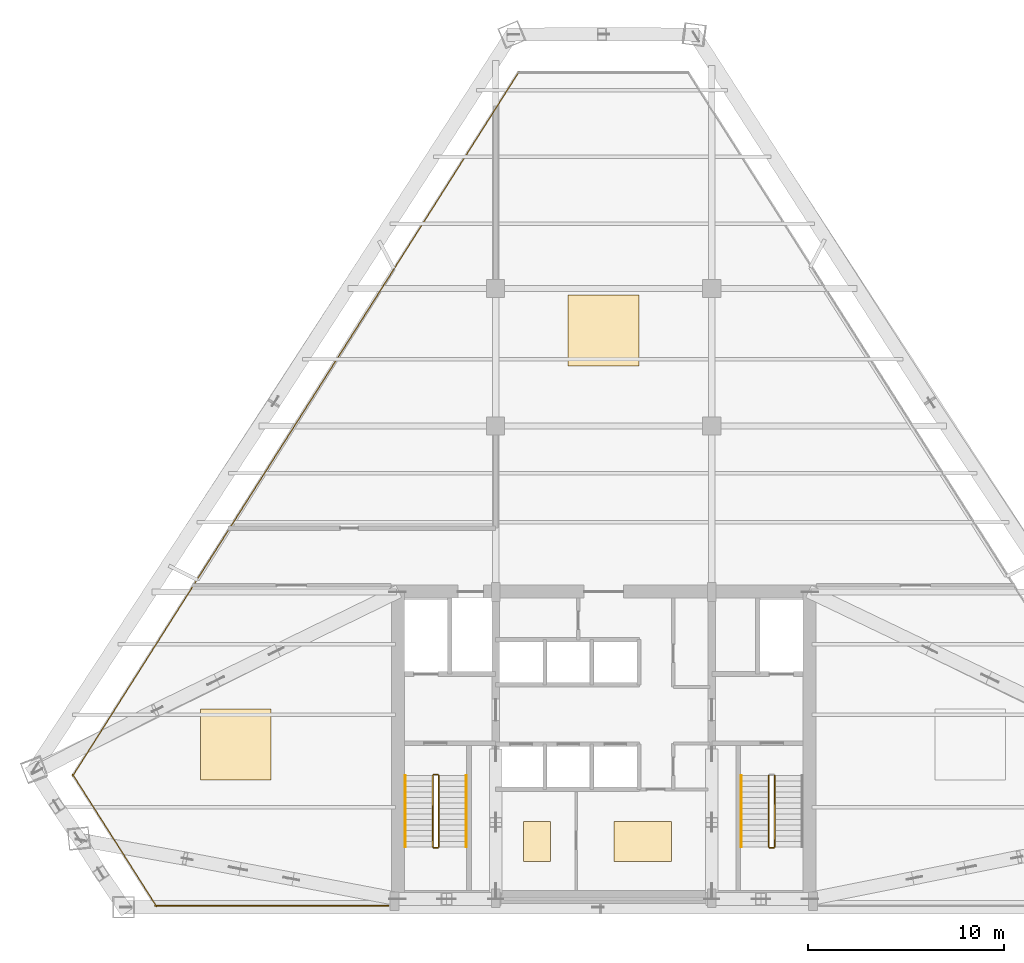
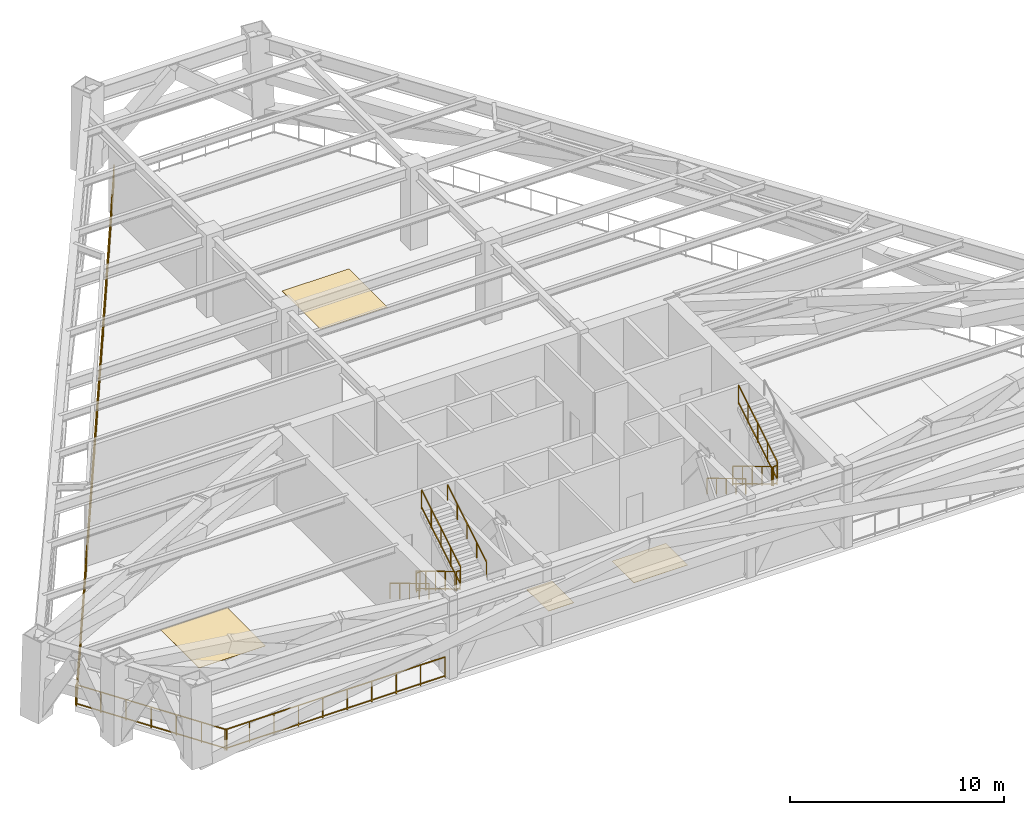
# One storey, part 8 of 9: 13 railings, 4 coverings.
"""IFC4 building model written with IfcOpenShell, lengths in metres."""

from ifc_helpers import new_model, si_unit, direction, frame, origin, origin_2d, place, context, subcontext, project, spatial, rectangle, extrude, source, transform, mapped, material, layer, layer_set, type_object, type_shapes, element, save


model = new_model("IFC4")

# Units and contexts
model_context = context("Model", 3, precision=1e-05, world=origin(), true_north=direction((0.0, 1.0)))
body_context = subcontext(model_context, "Body", "Model", "MODEL_VIEW")
ifc_project = project(units=[si_unit("LENGTHUNIT", "METRE"), si_unit("AREAUNIT", "SQUARE_METRE"), si_unit("VOLUMEUNIT", "CUBIC_METRE"), si_unit("PLANEANGLEUNIT", "RADIAN"), si_unit("MASSUNIT", "GRAM", prefix="KILO")], contexts=[model_context])

# Site, building, storey
site_placement = place(None, origin())
site = spatial("IfcSite", under=ifc_project, at=site_placement, CompositionType="ELEMENT")
building_placement = place(site_placement, origin())
building = spatial("IfcBuilding", under=site, at=building_placement, Name="Varnakhor Terracotta Tower", CompositionType="ELEMENT")
storey_placement = place(building_placement, frame((0.0, 0.0, 166.300048828125)))
storey = spatial("IfcBuildingStorey", under=building, at=storey_placement, Name="L42", CompositionType="ELEMENT", Elevation=166.300048828125)

# Railings
ifc_material_1 = material(Name="Painted Steel Stairwell Guardrail", Category="steel")
railing_type_1 = type_object("IfcRailingType", Name="RLG-STAIR-GUARD-1120", PredefinedType="GUARDRAIL", material=ifc_material_1)
railing_1_placement = place(storey_placement, frame((-8.699951171875, 6.7099609375, 0.167724609375)))
element("IfcRailing", 1, at=railing_1_placement, inside=storey, type_object=railing_type_1, Name="L42 ST-1 stair guard 1", PredefinedType="GUARDRAIL", context=body_context, shape_type="SweptSolid", body=[
    extrude(rectangle(XDim=0.048095703125, YDim=0.048095703125, at=origin_2d()), frame((0.0, 0.0, 1.09619140625), z_axis=(0.0, -0.857680679645, 0.514182702708), x_axis=(1.0, 0.0, 0.0)), (0.0, 0.0, 1.0), 4.243896484375),
    extrude(rectangle(XDim=0.048095703125, YDim=0.048095703125, at=origin_2d()), frame((0.0, 0.0, 0.10009765625), z_axis=(0.0, -0.857680679645, 0.514182702708), x_axis=(1.0, 0.0, 0.0)), (0.0, 0.0, 1.0), 4.243896484375),
    extrude(rectangle(XDim=0.0419921875, YDim=0.0419921875, at=origin_2d()), origin(), (0.0, 0.0, 1.0), 1.072021484375),
    extrude(rectangle(XDim=0.0419921875, YDim=0.0419921875, at=origin_2d()), frame((0.0, -0.909912109375, 0.54541015625)), (0.0, 0.0, 1.0), 1.072021484375),
    extrude(rectangle(XDim=0.0419921875, YDim=0.0419921875, at=origin_2d()), frame((0.0, -1.81982421875, 1.091064453125)), (0.0, 0.0, 1.0), 1.072021484375),
    extrude(rectangle(XDim=0.0419921875, YDim=0.0419921875, at=origin_2d()), frame((0.0, -2.72998046875, 1.63671875)), (0.0, 0.0, 1.0), 1.072021484375),
    extrude(rectangle(XDim=0.0419921875, YDim=0.0419921875, at=origin_2d()), frame((0.0, -3.639892578125, 2.18212890625)), (0.0, 0.0, 1.0), 1.072021484375),
])
railing_2_placement = place(storey_placement, frame((-8.64990234375, 3.02001953125, 2.349853515625)))
element("IfcRailing", 2, at=railing_2_placement, inside=storey, type_object=railing_type_1, Name="L42 ST-1 stair guard 2", PredefinedType="GUARDRAIL", context=body_context, shape_type="SweptSolid", body=[
    extrude(rectangle(XDim=0.048095703125, YDim=0.048095703125, at=origin_2d()), frame((0.0, 0.0, 1.09619140625), z_axis=(1.0, 0.0, 0.0), x_axis=(0.0, 1.0, 0.0)), (0.0, 0.0, 1.0), 0.199951171875),
    extrude(rectangle(XDim=0.048095703125, YDim=0.048095703125, at=origin_2d()), frame((0.0, 0.0, 0.10009765625), z_axis=(1.0, 0.0, 0.0), x_axis=(0.0, 1.0, 0.0)), (0.0, 0.0, 1.0), 0.199951171875),
    extrude(rectangle(XDim=0.0419921875, YDim=0.0419921875, at=origin_2d()), origin(), (0.0, 0.0, 1.0), 1.072021484375),
    extrude(rectangle(XDim=0.0419921875, YDim=0.0419921875, at=origin_2d()), frame((0.199951171875, 0.0, 0.0)), (0.0, 0.0, 1.0), 1.072021484375),
])
railing_3_placement = place(storey_placement, frame((-8.39990234375, 3.070068359375, 2.517822265625)))
element("IfcRailing", 3, at=railing_3_placement, inside=storey, type_object=railing_type_1, Name="L42 ST-1 stair guard 3", PredefinedType="GUARDRAIL", context=body_context, shape_type="SweptSolid", body=[
    extrude(rectangle(XDim=0.048095703125, YDim=0.048095703125, at=origin_2d()), frame((0.0, 0.0, 1.09619140625), z_axis=(0.0, 0.857680679645, 0.514182702708), x_axis=(-1.0, 0.0, 0.0)), (0.0, 0.0, 1.0), 4.243896484375),
    extrude(rectangle(XDim=0.048095703125, YDim=0.048095703125, at=origin_2d()), frame((0.0, 0.0, 0.10009765625), z_axis=(0.0, 0.857680679645, 0.514182702708), x_axis=(-1.0, 0.0, 0.0)), (0.0, 0.0, 1.0), 4.243896484375),
    extrude(rectangle(XDim=0.0419921875, YDim=0.0419921875, at=origin_2d()), origin(), (0.0, 0.0, 1.0), 1.072021484375),
    extrude(rectangle(XDim=0.0419921875, YDim=0.0419921875, at=origin_2d()), frame((0.0, 0.909912109375, 0.54541015625)), (0.0, 0.0, 1.0), 1.072021484375),
    extrude(rectangle(XDim=0.0419921875, YDim=0.0419921875, at=origin_2d()), frame((0.0, 1.81982421875, 1.091064453125)), (0.0, 0.0, 1.0), 1.072021484375),
    extrude(rectangle(XDim=0.0419921875, YDim=0.0419921875, at=origin_2d()), frame((0.0, 2.72998046875, 1.63671875)), (0.0, 0.0, 1.0), 1.072021484375),
    extrude(rectangle(XDim=0.0419921875, YDim=0.0419921875, at=origin_2d()), frame((0.0, 3.639892578125, 2.18212890625)), (0.0, 0.0, 1.0), 1.072021484375),
])
railing_4_placement = place(storey_placement, frame((-8.64990234375, 6.760009765625, 0.0)))
element("IfcRailing", 4, at=railing_4_placement, inside=storey, type_object=railing_type_1, Name="L42 ST-1 stair guard 4", PredefinedType="GUARDRAIL", context=body_context, shape_type="SweptSolid", body=[
    extrude(rectangle(XDim=0.048095703125, YDim=0.048095703125, at=origin_2d()), frame((0.0, 0.0, 1.09619140625), z_axis=(1.0, 0.0, 0.0), x_axis=(0.0, 1.0, 0.0)), (0.0, 0.0, 1.0), 0.199951171875),
    extrude(rectangle(XDim=0.048095703125, YDim=0.048095703125, at=origin_2d()), frame((0.0, 0.0, 0.10009765625), z_axis=(1.0, 0.0, 0.0), x_axis=(0.0, 1.0, 0.0)), (0.0, 0.0, 1.0), 0.199951171875),
    extrude(rectangle(XDim=0.0419921875, YDim=0.0419921875, at=origin_2d()), origin(), (0.0, 0.0, 1.0), 1.072021484375),
    extrude(rectangle(XDim=0.0419921875, YDim=0.0419921875, at=origin_2d()), frame((0.199951171875, 0.0, 0.0)), (0.0, 0.0, 1.0), 1.072021484375),
])
railing_5_placement = place(storey_placement, frame((8.39990234375, 6.7099609375, 0.167724609375)))
element("IfcRailing", 5, at=railing_5_placement, inside=storey, type_object=railing_type_1, Name="L42 ST-2 stair guard 1", PredefinedType="GUARDRAIL", context=body_context, shape_type="SweptSolid", body=[
    extrude(rectangle(XDim=0.048095703125, YDim=0.048095703125, at=origin_2d()), frame((0.0, 0.0, 1.09619140625), z_axis=(0.0, -0.857680679645, 0.514182702708), x_axis=(1.0, 0.0, 0.0)), (0.0, 0.0, 1.0), 4.243896484375),
    extrude(rectangle(XDim=0.048095703125, YDim=0.048095703125, at=origin_2d()), frame((0.0, 0.0, 0.10009765625), z_axis=(0.0, -0.857680679645, 0.514182702708), x_axis=(1.0, 0.0, 0.0)), (0.0, 0.0, 1.0), 4.243896484375),
    extrude(rectangle(XDim=0.0419921875, YDim=0.0419921875, at=origin_2d()), origin(), (0.0, 0.0, 1.0), 1.072021484375),
    extrude(rectangle(XDim=0.0419921875, YDim=0.0419921875, at=origin_2d()), frame((0.0, -0.909912109375, 0.54541015625)), (0.0, 0.0, 1.0), 1.072021484375),
    extrude(rectangle(XDim=0.0419921875, YDim=0.0419921875, at=origin_2d()), frame((0.0, -1.81982421875, 1.091064453125)), (0.0, 0.0, 1.0), 1.072021484375),
    extrude(rectangle(XDim=0.0419921875, YDim=0.0419921875, at=origin_2d()), frame((0.0, -2.72998046875, 1.63671875)), (0.0, 0.0, 1.0), 1.072021484375),
    extrude(rectangle(XDim=0.0419921875, YDim=0.0419921875, at=origin_2d()), frame((0.0, -3.639892578125, 2.18212890625)), (0.0, 0.0, 1.0), 1.072021484375),
])
railing_6_placement = place(storey_placement, frame((8.449951171875, 3.02001953125, 2.349853515625)))
element("IfcRailing", 6, at=railing_6_placement, inside=storey, type_object=railing_type_1, Name="L42 ST-2 stair guard 2", PredefinedType="GUARDRAIL", context=body_context, shape_type="SweptSolid", body=[
    extrude(rectangle(XDim=0.048095703125, YDim=0.048095703125, at=origin_2d()), frame((0.0, 0.0, 1.09619140625), z_axis=(1.0, 0.0, 0.0), x_axis=(0.0, 1.0, 0.0)), (0.0, 0.0, 1.0), 0.199951171875),
    extrude(rectangle(XDim=0.048095703125, YDim=0.048095703125, at=origin_2d()), frame((0.0, 0.0, 0.10009765625), z_axis=(1.0, 0.0, 0.0), x_axis=(0.0, 1.0, 0.0)), (0.0, 0.0, 1.0), 0.199951171875),
    extrude(rectangle(XDim=0.0419921875, YDim=0.0419921875, at=origin_2d()), origin(), (0.0, 0.0, 1.0), 1.072021484375),
    extrude(rectangle(XDim=0.0419921875, YDim=0.0419921875, at=origin_2d()), frame((0.199951171875, 0.0, 0.0)), (0.0, 0.0, 1.0), 1.072021484375),
])
railing_7_placement = place(storey_placement, frame((8.699951171875, 3.070068359375, 2.517822265625)))
element("IfcRailing", 7, at=railing_7_placement, inside=storey, type_object=railing_type_1, Name="L42 ST-2 stair guard 3", PredefinedType="GUARDRAIL", context=body_context, shape_type="SweptSolid", body=[
    extrude(rectangle(XDim=0.048095703125, YDim=0.048095703125, at=origin_2d()), frame((0.0, 0.0, 1.09619140625), z_axis=(0.0, 0.857680679645, 0.514182702708), x_axis=(-1.0, 0.0, 0.0)), (0.0, 0.0, 1.0), 4.243896484375),
    extrude(rectangle(XDim=0.048095703125, YDim=0.048095703125, at=origin_2d()), frame((0.0, 0.0, 0.10009765625), z_axis=(0.0, 0.857680679645, 0.514182702708), x_axis=(-1.0, 0.0, 0.0)), (0.0, 0.0, 1.0), 4.243896484375),
    extrude(rectangle(XDim=0.0419921875, YDim=0.0419921875, at=origin_2d()), origin(), (0.0, 0.0, 1.0), 1.072021484375),
    extrude(rectangle(XDim=0.0419921875, YDim=0.0419921875, at=origin_2d()), frame((0.0, 0.909912109375, 0.54541015625)), (0.0, 0.0, 1.0), 1.072021484375),
    extrude(rectangle(XDim=0.0419921875, YDim=0.0419921875, at=origin_2d()), frame((0.0, 1.81982421875, 1.091064453125)), (0.0, 0.0, 1.0), 1.072021484375),
    extrude(rectangle(XDim=0.0419921875, YDim=0.0419921875, at=origin_2d()), frame((0.0, 2.72998046875, 1.63671875)), (0.0, 0.0, 1.0), 1.072021484375),
    extrude(rectangle(XDim=0.0419921875, YDim=0.0419921875, at=origin_2d()), frame((0.0, 3.639892578125, 2.18212890625)), (0.0, 0.0, 1.0), 1.072021484375),
])
ifc_material_2 = material(Name="Brushed Stainless Steel Handrail", Category="steel")
railing_type_2 = type_object("IfcRailingType", Name="RLG-STAIR-HANDRAIL-920", PredefinedType="HANDRAIL", material=ifc_material_2)
railing_8_placement = place(storey_placement, frame((-10.10009765625, 6.7099609375, 0.167724609375)))
element("IfcRailing", 8, at=railing_8_placement, inside=storey, type_object=railing_type_2, Name="L42 ST-1 stair handrail 1", PredefinedType="HANDRAIL", context=body_context, shape_type="SweptSolid", body=[
    extrude(rectangle(XDim=0.048095703125, YDim=0.048095703125, at=origin_2d()), frame((0.0, 0.0, 0.89599609375), z_axis=(0.0, -0.857680679645, 0.514182702708), x_axis=(1.0, 0.0, 0.0)), (0.0, 0.0, 1.0), 4.243896484375),
    extrude(rectangle(XDim=0.0419921875, YDim=0.0419921875, at=origin_2d()), origin(), (0.0, 0.0, 1.0), 0.871826171875),
    extrude(rectangle(XDim=0.0419921875, YDim=0.0419921875, at=origin_2d()), frame((0.0, -0.909912109375, 0.54541015625)), (0.0, 0.0, 1.0), 0.871826171875),
    extrude(rectangle(XDim=0.0419921875, YDim=0.0419921875, at=origin_2d()), frame((0.0, -1.81982421875, 1.091064453125)), (0.0, 0.0, 1.0), 0.871826171875),
    extrude(rectangle(XDim=0.0419921875, YDim=0.0419921875, at=origin_2d()), frame((0.0, -2.72998046875, 1.63671875)), (0.0, 0.0, 1.0), 0.871826171875),
    extrude(rectangle(XDim=0.0419921875, YDim=0.0419921875, at=origin_2d()), frame((0.0, -3.639892578125, 2.18212890625)), (0.0, 0.0, 1.0), 0.871826171875),
])
railing_9_placement = place(storey_placement, frame((-7.0, 3.070068359375, 2.517822265625)))
element("IfcRailing", 9, at=railing_9_placement, inside=storey, type_object=railing_type_2, Name="L42 ST-1 stair handrail 2", PredefinedType="HANDRAIL", context=body_context, shape_type="SweptSolid", body=[
    extrude(rectangle(XDim=0.048095703125, YDim=0.048095703125, at=origin_2d()), frame((0.0, 0.0, 0.89599609375), z_axis=(0.0, 0.857680679645, 0.514182702708), x_axis=(-1.0, 0.0, 0.0)), (0.0, 0.0, 1.0), 4.243896484375),
    extrude(rectangle(XDim=0.0419921875, YDim=0.0419921875, at=origin_2d()), origin(), (0.0, 0.0, 1.0), 0.871826171875),
    extrude(rectangle(XDim=0.0419921875, YDim=0.0419921875, at=origin_2d()), frame((0.0, 0.909912109375, 0.54541015625)), (0.0, 0.0, 1.0), 0.871826171875),
    extrude(rectangle(XDim=0.0419921875, YDim=0.0419921875, at=origin_2d()), frame((0.0, 1.81982421875, 1.091064453125)), (0.0, 0.0, 1.0), 0.871826171875),
    extrude(rectangle(XDim=0.0419921875, YDim=0.0419921875, at=origin_2d()), frame((0.0, 2.72998046875, 1.63671875)), (0.0, 0.0, 1.0), 0.871826171875),
    extrude(rectangle(XDim=0.0419921875, YDim=0.0419921875, at=origin_2d()), frame((0.0, 3.639892578125, 2.18212890625)), (0.0, 0.0, 1.0), 0.871826171875),
])
railing_10_placement = place(storey_placement, frame((7.0, 6.7099609375, 0.167724609375)))
element("IfcRailing", 10, at=railing_10_placement, inside=storey, type_object=railing_type_2, Name="L42 ST-2 stair handrail 1", PredefinedType="HANDRAIL", context=body_context, shape_type="SweptSolid", body=[
    extrude(rectangle(XDim=0.048095703125, YDim=0.048095703125, at=origin_2d()), frame((0.0, 0.0, 0.89599609375), z_axis=(0.0, -0.857680679645, 0.514182702708), x_axis=(1.0, 0.0, 0.0)), (0.0, 0.0, 1.0), 4.243896484375),
    extrude(rectangle(XDim=0.0419921875, YDim=0.0419921875, at=origin_2d()), origin(), (0.0, 0.0, 1.0), 0.871826171875),
    extrude(rectangle(XDim=0.0419921875, YDim=0.0419921875, at=origin_2d()), frame((0.0, -0.909912109375, 0.54541015625)), (0.0, 0.0, 1.0), 0.871826171875),
    extrude(rectangle(XDim=0.0419921875, YDim=0.0419921875, at=origin_2d()), frame((0.0, -1.81982421875, 1.091064453125)), (0.0, 0.0, 1.0), 0.871826171875),
    extrude(rectangle(XDim=0.0419921875, YDim=0.0419921875, at=origin_2d()), frame((0.0, -2.72998046875, 1.63671875)), (0.0, 0.0, 1.0), 0.871826171875),
    extrude(rectangle(XDim=0.0419921875, YDim=0.0419921875, at=origin_2d()), frame((0.0, -3.639892578125, 2.18212890625)), (0.0, 0.0, 1.0), 0.871826171875),
])
ifc_material_3 = material(Name="Terracotta & Brushed Steel Balustrade", Category="masonry")
railing_type_3 = type_object("IfcRailingType", Name="RLG-TERRACE-GUARD-1200", PredefinedType="BALUSTRADE", material=ifc_material_3)
railing_11_placement = place(storey_placement, frame((-27.03857421875, 6.68115234375, 0.0)))
element("IfcRailing", 11, at=railing_11_placement, inside=storey, type_object=railing_type_3, Name="L42 Open Floor Perimeter Guard 1", PredefinedType="BALUSTRADE", context=body_context, shape_type="SweptSolid", body=[
    extrude(rectangle(XDim=0.048095703125, YDim=0.048095703125, at=origin_2d()), frame((0.0, 0.0, 1.17578125), z_axis=(0.535303286105, 0.844659926767, 0.0), x_axis=(-0.844659926767, 0.535303286105, 0.0)), (0.0, 0.0, 1.0), 42.447265625),
    extrude(rectangle(XDim=0.048095703125, YDim=0.048095703125, at=origin_2d()), frame((0.0, 0.0, 0.10009765625), z_axis=(0.535303286105, 0.844659926767, 0.0), x_axis=(-0.844659926767, 0.535303286105, 0.0)), (0.0, 0.0, 1.0), 42.447265625),
    extrude(rectangle(XDim=0.0419921875, YDim=0.0419921875, at=origin_2d()), origin(), (0.0, 0.0, 1.0), 1.15185546875),
    extrude(rectangle(XDim=0.0419921875, YDim=0.0419921875, at=origin_2d()), frame((0.73291015625, 1.156494140625, 0.0)), (0.0, 0.0, 1.0), 1.15185546875),
    extrude(rectangle(XDim=0.0419921875, YDim=0.0419921875, at=origin_2d()), frame((1.466064453125, 2.313232421875, 0.0)), (0.0, 0.0, 1.0), 1.15185546875),
    extrude(rectangle(XDim=0.0419921875, YDim=0.0419921875, at=origin_2d()), frame((2.198974609375, 3.4697265625, 0.0)), (0.0, 0.0, 1.0), 1.15185546875),
    extrude(rectangle(XDim=0.0419921875, YDim=0.0419921875, at=origin_2d()), frame((2.931884765625, 4.626220703125, 0.0)), (0.0, 0.0, 1.0), 1.15185546875),
    extrude(rectangle(XDim=0.0419921875, YDim=0.0419921875, at=origin_2d()), frame((3.664794921875, 5.78271484375, 0.0)), (0.0, 0.0, 1.0), 1.15185546875),
    extrude(rectangle(XDim=0.0419921875, YDim=0.0419921875, at=origin_2d()), frame((4.39794921875, 6.939453125, 0.0)), (0.0, 0.0, 1.0), 1.15185546875),
    extrude(rectangle(XDim=0.0419921875, YDim=0.0419921875, at=origin_2d()), frame((5.130859375, 8.095947265625, 0.0)), (0.0, 0.0, 1.0), 1.15185546875),
    extrude(rectangle(XDim=0.0419921875, YDim=0.0419921875, at=origin_2d()), frame((5.86376953125, 9.25244140625, 0.0)), (0.0, 0.0, 1.0), 1.15185546875),
    extrude(rectangle(XDim=0.0419921875, YDim=0.0419921875, at=origin_2d()), frame((6.5966796875, 10.4091796875, 0.0)), (0.0, 0.0, 1.0), 1.15185546875),
    extrude(rectangle(XDim=0.0419921875, YDim=0.0419921875, at=origin_2d()), frame((7.329833984375, 11.565673828125, 0.0)), (0.0, 0.0, 1.0), 1.15185546875),
    extrude(rectangle(XDim=0.0419921875, YDim=0.0419921875, at=origin_2d()), frame((8.062744140625, 12.72216796875, 0.0)), (0.0, 0.0, 1.0), 1.15185546875),
    extrude(rectangle(XDim=0.0419921875, YDim=0.0419921875, at=origin_2d()), frame((8.795654296875, 13.878662109375, 0.0)), (0.0, 0.0, 1.0), 1.15185546875),
    extrude(rectangle(XDim=0.0419921875, YDim=0.0419921875, at=origin_2d()), frame((9.528564453125, 15.035400390625, 0.0)), (0.0, 0.0, 1.0), 1.15185546875),
    extrude(rectangle(XDim=0.0419921875, YDim=0.0419921875, at=origin_2d()), frame((10.26171875, 16.19189453125, 0.0)), (0.0, 0.0, 1.0), 1.15185546875),
    extrude(rectangle(XDim=0.0419921875, YDim=0.0419921875, at=origin_2d()), frame((10.99462890625, 17.348388671875, 0.0)), (0.0, 0.0, 1.0), 1.15185546875),
    extrude(rectangle(XDim=0.0419921875, YDim=0.0419921875, at=origin_2d()), frame((11.7275390625, 18.505126953125, 0.0)), (0.0, 0.0, 1.0), 1.15185546875),
    extrude(rectangle(XDim=0.0419921875, YDim=0.0419921875, at=origin_2d()), frame((12.46044921875, 19.66162109375, 0.0)), (0.0, 0.0, 1.0), 1.15185546875),
    extrude(rectangle(XDim=0.0419921875, YDim=0.0419921875, at=origin_2d()), frame((13.193603515625, 20.818115234375, 0.0)), (0.0, 0.0, 1.0), 1.15185546875),
    extrude(rectangle(XDim=0.0419921875, YDim=0.0419921875, at=origin_2d()), frame((13.926513671875, 21.974853515625, 0.0)), (0.0, 0.0, 1.0), 1.15185546875),
    extrude(rectangle(XDim=0.0419921875, YDim=0.0419921875, at=origin_2d()), frame((14.659423828125, 23.13134765625, 0.0)), (0.0, 0.0, 1.0), 1.15185546875),
    extrude(rectangle(XDim=0.0419921875, YDim=0.0419921875, at=origin_2d()), frame((15.392333984375, 24.287841796875, 0.0)), (0.0, 0.0, 1.0), 1.15185546875),
    extrude(rectangle(XDim=0.0419921875, YDim=0.0419921875, at=origin_2d()), frame((16.12548828125, 25.4443359375, 0.0)), (0.0, 0.0, 1.0), 1.15185546875),
    extrude(rectangle(XDim=0.0419921875, YDim=0.0419921875, at=origin_2d()), frame((16.8583984375, 26.60107421875, 0.0)), (0.0, 0.0, 1.0), 1.15185546875),
    extrude(rectangle(XDim=0.0419921875, YDim=0.0419921875, at=origin_2d()), frame((17.59130859375, 27.757568359375, 0.0)), (0.0, 0.0, 1.0), 1.15185546875),
    extrude(rectangle(XDim=0.0419921875, YDim=0.0419921875, at=origin_2d()), frame((18.32421875, 28.9140625, 0.0)), (0.0, 0.0, 1.0), 1.15185546875),
    extrude(rectangle(XDim=0.0419921875, YDim=0.0419921875, at=origin_2d()), frame((19.057373046875, 30.07080078125, 0.0)), (0.0, 0.0, 1.0), 1.15185546875),
    extrude(rectangle(XDim=0.0419921875, YDim=0.0419921875, at=origin_2d()), frame((19.790283203125, 31.227294921875, 0.0)), (0.0, 0.0, 1.0), 1.15185546875),
    extrude(rectangle(XDim=0.0419921875, YDim=0.0419921875, at=origin_2d()), frame((20.523193359375, 32.3837890625, 0.0)), (0.0, 0.0, 1.0), 1.15185546875),
    extrude(rectangle(XDim=0.0419921875, YDim=0.0419921875, at=origin_2d()), frame((21.256103515625, 33.540283203125, 0.0)), (0.0, 0.0, 1.0), 1.15185546875),
    extrude(rectangle(XDim=0.0419921875, YDim=0.0419921875, at=origin_2d()), frame((21.9892578125, 34.697021484375, 0.0)), (0.0, 0.0, 1.0), 1.15185546875),
    extrude(rectangle(XDim=0.0419921875, YDim=0.0419921875, at=origin_2d()), frame((22.72216796875, 35.853515625, 0.0)), (0.0, 0.0, 1.0), 1.15185546875),
])
railing_12_placement = place(storey_placement, frame((-10.9599609375, 0.080078125, 0.0)))
element("IfcRailing", 12, at=railing_12_placement, inside=storey, type_object=railing_type_3, Name="L42 Open Refuge Perimeter Guard SSW", PredefinedType="BALUSTRADE", context=body_context, shape_type="SweptSolid", body=[
    extrude(rectangle(XDim=0.048095703125, YDim=0.048095703125, at=origin_2d()), frame((0.0, 0.0, 1.17578125), z_axis=(-1.0, 0.0, 0.0), x_axis=(0.0, -1.0, 0.0)), (0.0, 0.0, 1.0), 11.875732421875),
    extrude(rectangle(XDim=0.048095703125, YDim=0.048095703125, at=origin_2d()), frame((0.0, 0.0, 0.10009765625), z_axis=(-1.0, 0.0, 0.0), x_axis=(0.0, -1.0, 0.0)), (0.0, 0.0, 1.0), 11.875732421875),
    extrude(rectangle(XDim=0.0419921875, YDim=0.0419921875, at=origin_2d()), origin(), (0.0, 0.0, 1.0), 1.15185546875),
    extrude(rectangle(XDim=0.0419921875, YDim=0.0419921875, at=origin_2d()), frame((-1.319580078125, 0.0, 0.0)), (0.0, 0.0, 1.0), 1.15185546875),
    extrude(rectangle(XDim=0.0419921875, YDim=0.0419921875, at=origin_2d()), frame((-2.63916015625, 0.0, 0.0)), (0.0, 0.0, 1.0), 1.15185546875),
    extrude(rectangle(XDim=0.0419921875, YDim=0.0419921875, at=origin_2d()), frame((-3.95849609375, 0.0, 0.0)), (0.0, 0.0, 1.0), 1.15185546875),
    extrude(rectangle(XDim=0.0419921875, YDim=0.0419921875, at=origin_2d()), frame((-5.278076171875, 0.0, 0.0)), (0.0, 0.0, 1.0), 1.15185546875),
    extrude(rectangle(XDim=0.0419921875, YDim=0.0419921875, at=origin_2d()), frame((-6.59765625, 0.0, 0.0)), (0.0, 0.0, 1.0), 1.15185546875),
    extrude(rectangle(XDim=0.0419921875, YDim=0.0419921875, at=origin_2d()), frame((-7.917236328125, 0.0, 0.0)), (0.0, 0.0, 1.0), 1.15185546875),
    extrude(rectangle(XDim=0.0419921875, YDim=0.0419921875, at=origin_2d()), frame((-9.236572265625, 0.0, 0.0)), (0.0, 0.0, 1.0), 1.15185546875),
    extrude(rectangle(XDim=0.0419921875, YDim=0.0419921875, at=origin_2d()), frame((-10.55615234375, 0.0, 0.0)), (0.0, 0.0, 1.0), 1.15185546875),
    extrude(rectangle(XDim=0.0419921875, YDim=0.0419921875, at=origin_2d()), frame((-11.875732421875, 0.0, 0.0)), (0.0, 0.0, 1.0), 1.15185546875),
])
railing_13_placement = place(storey_placement, frame((-22.768310546875, 0.04296875, 0.0)))
element("IfcRailing", 13, at=railing_13_placement, inside=storey, type_object=railing_type_3, Name="L42 Open Floor Perimeter Guard 6", PredefinedType="BALUSTRADE", context=body_context, shape_type="SweptSolid", body=[
    extrude(rectangle(XDim=0.048095703125, YDim=0.048095703125, at=origin_2d()), frame((0.0, 0.0, 1.17578125), z_axis=(-0.536131567902, 0.844134433546, 0.0), x_axis=(-0.844134433546, -0.536131567902, 0.0)), (0.0, 0.0, 1.0), 7.96533203125),
    extrude(rectangle(XDim=0.048095703125, YDim=0.048095703125, at=origin_2d()), frame((0.0, 0.0, 0.10009765625), z_axis=(-0.536131567902, 0.844134433546, 0.0), x_axis=(-0.844134433546, -0.536131567902, 0.0)), (0.0, 0.0, 1.0), 7.96533203125),
    extrude(rectangle(XDim=0.0419921875, YDim=0.0419921875, at=origin_2d()), origin(), (0.0, 0.0, 1.0), 1.15185546875),
    extrude(rectangle(XDim=0.0419921875, YDim=0.0419921875, at=origin_2d()), frame((-0.711669921875, 1.12060546875, 0.0)), (0.0, 0.0, 1.0), 1.15185546875),
    extrude(rectangle(XDim=0.0419921875, YDim=0.0419921875, at=origin_2d()), frame((-1.423583984375, 2.2412109375, 0.0)), (0.0, 0.0, 1.0), 1.15185546875),
    extrude(rectangle(XDim=0.0419921875, YDim=0.0419921875, at=origin_2d()), frame((-2.13525390625, 3.36181640625, 0.0)), (0.0, 0.0, 1.0), 1.15185546875),
    extrude(rectangle(XDim=0.0419921875, YDim=0.0419921875, at=origin_2d()), frame((-2.846923828125, 4.482666015625, 0.0)), (0.0, 0.0, 1.0), 1.15185546875),
    extrude(rectangle(XDim=0.0419921875, YDim=0.0419921875, at=origin_2d()), frame((-3.558837890625, 5.603271484375, 0.0)), (0.0, 0.0, 1.0), 1.15185546875),
    extrude(rectangle(XDim=0.0419921875, YDim=0.0419921875, at=origin_2d()), frame((-4.2705078125, 6.723876953125, 0.0)), (0.0, 0.0, 1.0), 1.15185546875),
])

# Coverings
ifc_material_4 = material(Name="Insulated Elastomeric Waterproof Roofing Membrane", Category="other")
ifc_layer = layer(ifc_material_4, 0.034912109375, Name="Insulated Elastomeric Waterproof Roofing Membrane")
ifc_layer_set = layer_set([ifc_layer], Name="Insulated Elastomeric Waterproof Roofing Membrane")
covering_type = type_object("IfcCoveringType", Name="COV-ROOF-MEMBRANE", PredefinedType="ROOFING", material=ifc_layer_set)
shared_shape_1 = source(origin(), body_context, "Body", "SweptSolid", [
    extrude(rectangle(XDim=3.60009765625, YDim=3.60009765625, at=origin_2d()), origin(), (0.0, 0.0, 1.0), 0.014892578125),
])
type_shapes(covering_type, [shared_shape_1])
for number, where, z_axis, x_axis, name in (
    (14, (-18.737060546875, 8.291015625, 0.0), (0.0, 0.0, 1.0), (1.0, 0.0, 0.0), "L42 Waterproof Plant Membrane 3"),
    (15, (-0.011962890625, 29.35888671875, 0.0), (0.0, 0.0, 1.0), (1.0, 0.0, 0.0), "L42 Waterproof Plant Membrane 5"),
):
    element("IfcCovering", number, at=place(storey_placement, frame(where, z_axis=z_axis, x_axis=x_axis)), inside=storey, type_object=covering_type, Name=name, PredefinedType="ROOFING", context=body_context, shape_type="MappedRepresentation", body=[
        mapped(shared_shape_1, transform((0.0, 0.0, 0.0), scale=1.0)),
    ])
shared_shape_2 = source(origin(), body_context, "Body", "SweptSolid", [
    extrude(rectangle(XDim=1.375, YDim=2.041015625, at=origin_2d()), origin(), (0.0, 0.0, 1.0), 0.014892578125),
])
covering_1_placement = place(storey_placement, frame((-3.389892578125, 3.35498046875, 0.0), z_axis=(0.0, 0.0, 1.0), x_axis=(1.0, 0.0, 0.0)))
element("IfcCovering", 16, at=covering_1_placement, inside=storey, type_object=covering_type, Name="L42 Waterproof Plant Membrane 1", PredefinedType="ROOFING", context=body_context, shape_type="MappedRepresentation", body=[
    mapped(shared_shape_2, transform((0.0, 0.0, 0.0), scale=1.0)),
])
shared_shape_3 = source(origin(), body_context, "Body", "SweptSolid", [
    extrude(rectangle(XDim=2.9150390625, YDim=2.041015625, at=origin_2d()), origin(), (0.0, 0.0, 1.0), 0.014892578125),
])
covering_2_placement = place(storey_placement, frame((1.989990234375, 3.35498046875, 0.0), z_axis=(0.0, 0.0, 1.0), x_axis=(1.0, 0.0, 0.0)))
element("IfcCovering", 17, at=covering_2_placement, inside=storey, type_object=covering_type, Name="L42 Waterproof Plant Membrane 2", PredefinedType="ROOFING", context=body_context, shape_type="MappedRepresentation", body=[
    mapped(shared_shape_3, transform((0.0, 0.0, 0.0), scale=1.0)),
])

save(model, "model.ifc")
